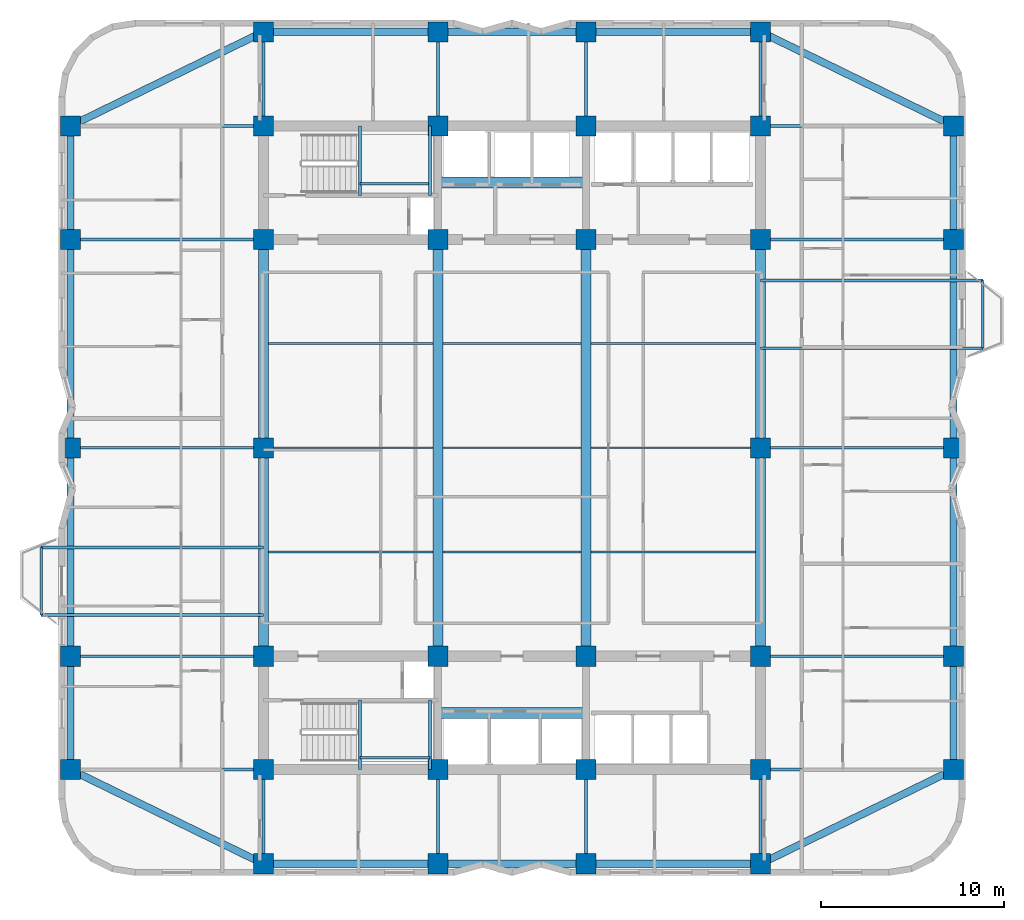
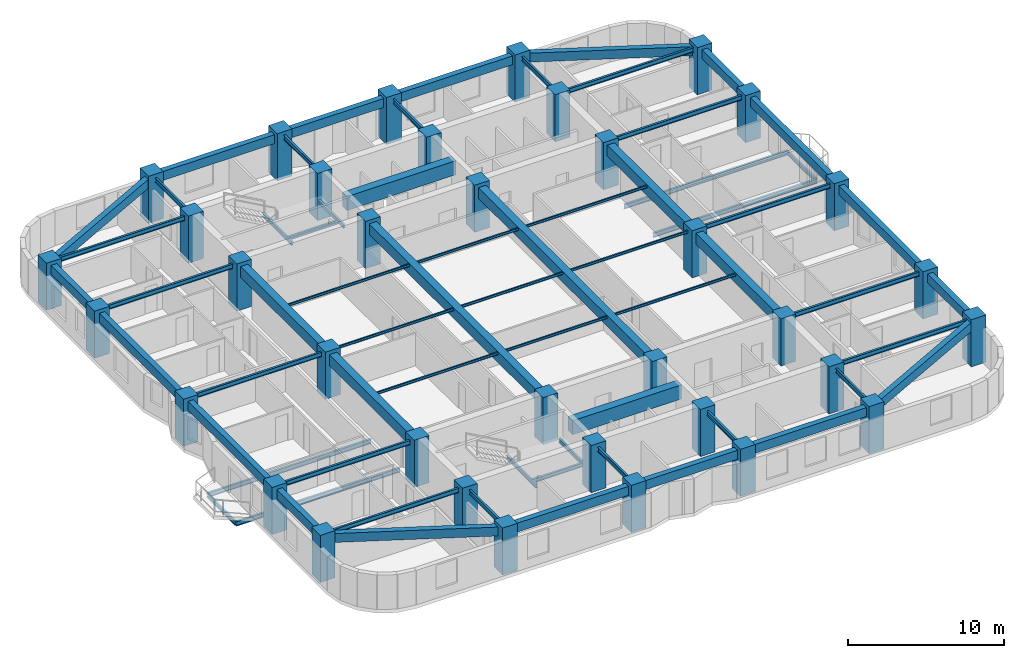
# One storey, part 1 of 9: 65 beams, 36 columns.
"""IFC4 building model written with IfcOpenShell, lengths in metres."""

from ifc_helpers import new_model, si_unit, direction, frame, origin, origin_2d, place, context, subcontext, project, spatial, rectangle, i_section, extrude, material, material_profile, profile_set, type_object, element, save


model = new_model("IFC4")

# Units and contexts
model_context = context("Model", 3, precision=1e-05, world=origin(), true_north=direction((0.0, 1.0)))
body_context = subcontext(model_context, "Body", "Model", "MODEL_VIEW")
ifc_project = project(units=[si_unit("LENGTHUNIT", "METRE"), si_unit("AREAUNIT", "SQUARE_METRE"), si_unit("VOLUMEUNIT", "CUBIC_METRE"), si_unit("PLANEANGLEUNIT", "RADIAN"), si_unit("MASSUNIT", "GRAM", prefix="KILO")], contexts=[model_context])

# Site, building, storey
site_placement = place(None, origin())
site = spatial("IfcSite", under=ifc_project, at=site_placement, CompositionType="ELEMENT")
building_placement = place(site_placement, origin())
building = spatial("IfcBuilding", under=site, at=building_placement, Name="Svetorya Sky Lyceum", CompositionType="ELEMENT")
storey_placement = place(building_placement, frame((0.0, 0.0, 88.300048828125)))
storey = spatial("IfcBuildingStorey", under=building, at=storey_placement, Name="L21", CompositionType="ELEMENT", Elevation=88.300048828125)

# Columns
ifc_material_1 = material(Name="Concrete C50/60", Category="concrete")
ifc_material_profile_1 = material_profile(ifc_material_1, rectangle(XDim=1.10009765625, YDim=1.10009765625, at=origin_2d()), Name="RC COL 1100x1100")
ifc_profile_set_1 = profile_set([ifc_material_profile_1], Name="Concrete C50/60")
column_type = type_object("IfcColumnType", Name="COL-RC-1100", PredefinedType="COLUMN", material=ifc_profile_set_1)
for number, where, z_axis, x_axis, name in (
    (1, (25.60009765625, 10.60009765625, 0.0), (0.0, 0.0, 1.0), (1.0, 0.0, 0.0), "L21 Core Column CS-11"),
    (2, (25.60009765625, 16.800048828125, 0.0), (0.0, 0.0, 1.0), (1.0, 0.0, 0.0), "L21 Core Column CS-12"),
    (3, (35.14990234375, 10.60009765625, 0.0), (0.0, 0.0, 1.0), (1.0, 0.0, 0.0), "L21 Core Column CS-21"),
    (4, (35.14990234375, 16.800048828125, 0.0), (0.0, 0.0, 1.0), (1.0, 0.0, 0.0), "L21 Core Column CS-22"),
    (5, (43.25, 10.60009765625, 0.0), (0.0, 0.0, 1.0), (1.0, 0.0, 0.0), "L21 Core Column CS-31"),
    (6, (43.25, 16.800048828125, 0.0), (0.0, 0.0, 1.0), (1.0, 0.0, 0.0), "L21 Core Column CS-32"),
    (7, (52.800048828125, 10.60009765625, 0.0), (0.0, 0.0, 1.0), (1.0, 0.0, 0.0), "L21 Core Column CS-41"),
    (8, (52.800048828125, 16.800048828125, 0.0), (0.0, 0.0, 1.0), (1.0, 0.0, 0.0), "L21 Core Column CS-42"),
    (9, (25.60009765625, 39.60009765625, 0.0), (0.0, 0.0, 1.0), (1.0, 0.0, 0.0), "L21 Core Column CN-11"),
    (10, (25.60009765625, 45.800048828125, 0.0), (0.0, 0.0, 1.0), (1.0, 0.0, 0.0), "L21 Core Column CN-12"),
    (11, (35.14990234375, 39.60009765625, 0.0), (0.0, 0.0, 1.0), (1.0, 0.0, 0.0), "L21 Core Column CN-21"),
    (12, (35.14990234375, 45.800048828125, 0.0), (0.0, 0.0, 1.0), (1.0, 0.0, 0.0), "L21 Core Column CN-22"),
    (13, (43.25, 39.60009765625, 0.0), (0.0, 0.0, 1.0), (1.0, 0.0, 0.0), "L21 Core Column CN-31"),
    (14, (43.25, 45.800048828125, 0.0), (0.0, 0.0, 1.0), (1.0, 0.0, 0.0), "L21 Core Column CN-32"),
    (15, (52.800048828125, 39.60009765625, 0.0), (0.0, 0.0, 1.0), (1.0, 0.0, 0.0), "L21 Core Column CN-41"),
    (16, (52.800048828125, 45.800048828125, 0.0), (0.0, 0.0, 1.0), (1.0, 0.0, 0.0), "L21 Core Column CN-42"),
    (17, (25.60009765625, 28.199951171875, 0.0), (0.0, 0.0, 1.0), (1.0, 0.0, 0.0), "L21 Core Column CM-W"),
    (18, (52.800048828125, 28.199951171875, 0.0), (0.0, 0.0, 1.0), (1.0, 0.0, 0.0), "L21 Core Column CM-E"),
    (19, (25.60009765625, 5.449951171875, 0.0), (0.0, 0.0, 1.0), (1.0, 0.0, 0.0), "L21 Perimeter Column S1"),
    (20, (25.60009765625, 50.949951171875, 0.0), (0.0, 0.0, 1.0), (1.0, 0.0, 0.0), "L21 Perimeter Column N1"),
    (21, (35.14990234375, 5.449951171875, 0.0), (0.0, 0.0, 1.0), (1.0, 0.0, 0.0), "L21 Perimeter Column S2"),
    (22, (35.14990234375, 50.949951171875, 0.0), (0.0, 0.0, 1.0), (1.0, 0.0, 0.0), "L21 Perimeter Column N2"),
    (23, (43.25, 5.449951171875, 0.0), (0.0, 0.0, 1.0), (1.0, 0.0, 0.0), "L21 Perimeter Column S3"),
    (24, (43.25, 50.949951171875, 0.0), (0.0, 0.0, 1.0), (1.0, 0.0, 0.0), "L21 Perimeter Column N3"),
    (25, (52.800048828125, 5.449951171875, 0.0), (0.0, 0.0, 1.0), (1.0, 0.0, 0.0), "L21 Perimeter Column S4"),
    (26, (52.800048828125, 50.949951171875, 0.0), (0.0, 0.0, 1.0), (1.0, 0.0, 0.0), "L21 Perimeter Column N4"),
    (27, (15.050048828125, 10.60009765625, 0.0), (0.0, 0.0, 1.0), (1.0, 0.0, 0.0), "L21 Perimeter Column W1"),
    (28, (63.35009765625, 10.60009765625, 0.0), (0.0, 0.0, 1.0), (1.0, 0.0, 0.0), "L21 Perimeter Column E1"),
    (29, (15.050048828125, 16.800048828125, 0.0), (0.0, 0.0, 1.0), (1.0, 0.0, 0.0), "L21 Perimeter Column W2"),
    (30, (63.35009765625, 16.800048828125, 0.0), (0.0, 0.0, 1.0), (1.0, 0.0, 0.0), "L21 Perimeter Column E2"),
    (31, (15.050048828125, 28.199951171875, 0.0), (0.0, 0.0, 1.0), (1.0, 0.0, 0.0), "L21 Perimeter Column W3"),
    (32, (63.35009765625, 28.199951171875, 0.0), (0.0, 0.0, 1.0), (1.0, 0.0, 0.0), "L21 Perimeter Column E3"),
    (33, (15.050048828125, 39.60009765625, 0.0), (0.0, 0.0, 1.0), (1.0, 0.0, 0.0), "L21 Perimeter Column W4"),
    (34, (63.35009765625, 39.60009765625, 0.0), (0.0, 0.0, 1.0), (1.0, 0.0, 0.0), "L21 Perimeter Column E4"),
    (35, (15.050048828125, 45.800048828125, 0.0), (0.0, 0.0, 1.0), (1.0, 0.0, 0.0), "L21 Perimeter Column W5"),
    (36, (63.35009765625, 45.800048828125, 0.0), (0.0, 0.0, 1.0), (1.0, 0.0, 0.0), "L21 Perimeter Column E5"),
):
    element("IfcColumn", number, at=place(storey_placement, frame(where, z_axis=z_axis, x_axis=x_axis)), inside=storey, type_object=column_type, Name=name, PredefinedType="COLUMN", context=body_context, shape_type="SweptSolid", body=[
        extrude(rectangle(XDim=1.10009765625, YDim=1.10009765625, at=origin_2d()), origin(), (0.0, 0.0, 1.0), 3.699951171875),
    ])

# Beams
ifc_material_2 = material(Name="Concrete C60/75", Category="concrete")
ifc_material_profile_2 = material_profile(ifc_material_2, rectangle(XDim=0.60009765625, YDim=1.10009765625, at=origin_2d()), Name="RC COUPLING 600x1100")
ifc_profile_set_2 = profile_set([ifc_material_profile_2], Name="Concrete C60/75")
beam_type_1 = type_object("IfcBeamType", Name="BM-CPL-1100", PredefinedType="LINTEL", material=ifc_profile_set_2)
for number, where, z_axis, x_axis, name in (
    (37, (35.14990234375, 13.699951171875, 2.869873046875), (1.0, 0.0, 0.0), (0.0, 1.0, 0.0), "L21 SC Core Coupling Beam"),
    (38, (35.14990234375, 42.699951171875, 2.869873046875), (1.0, 0.0, 0.0), (0.0, 1.0, 0.0), "L21 NC Core Coupling Beam"),
):
    element("IfcBeam", number, at=place(storey_placement, frame(where, z_axis=z_axis, x_axis=x_axis)), inside=storey, type_object=beam_type_1, Name=name, PredefinedType="LINTEL", context=body_context, shape_type="SweptSolid", body=[
        extrude(rectangle(XDim=0.60009765625, YDim=1.10009765625, at=origin_2d()), origin(), (0.0, 0.0, 1.0), 8.10009765625),
    ])
ifc_material_profile_3 = material_profile(ifc_material_1, rectangle(XDim=0.550048828125, YDim=0.85009765625, at=origin_2d()), Name="RC BEAM 550x850")
ifc_profile_set_3 = profile_set([ifc_material_profile_3], Name="Concrete C50/60")
beam_type_2 = type_object("IfcBeamType", Name="BM-RC-850", PredefinedType="BEAM", material=ifc_profile_set_3)
beam_1_placement = place(storey_placement, frame((25.60009765625, 16.800048828125, 2.994873046875), z_axis=(0.0, 1.0, 0.0), x_axis=(-1.0, 0.0, 0.0)))
element("IfcBeam", 39, at=beam_1_placement, inside=storey, type_object=beam_type_2, Name="L21 Central Bay Primary Girder CG-1A", PredefinedType="BEAM", context=body_context, shape_type="SweptSolid", body=[
    extrude(rectangle(XDim=0.550048828125, YDim=0.85009765625, at=origin_2d()), origin(), (0.0, 0.0, 1.0), 11.39990234375),
])
beam_2_placement = place(storey_placement, frame((25.60009765625, 28.199951171875, 2.994873046875), z_axis=(0.0, 1.0, 0.0), x_axis=(-1.0, 0.0, 0.0)))
element("IfcBeam", 40, at=beam_2_placement, inside=storey, type_object=beam_type_2, Name="L21 Central Bay Primary Girder CG-1B", PredefinedType="BEAM", context=body_context, shape_type="SweptSolid", body=[
    extrude(rectangle(XDim=0.550048828125, YDim=0.85009765625, at=origin_2d()), origin(), (0.0, 0.0, 1.0), 11.400146484375),
])
for number, where, z_axis, x_axis, name in (
    (41, (35.14990234375, 16.800048828125, 2.994873046875), (0.0, 1.0, 0.0), (-1.0, 0.0, 0.0), "L21 Central Bay Primary Girder CG-2"),
    (42, (43.25, 16.800048828125, 2.994873046875), (0.0, 1.0, 0.0), (-1.0, 0.0, 0.0), "L21 Central Bay Primary Girder CG-3"),
):
    element("IfcBeam", number, at=place(storey_placement, frame(where, z_axis=z_axis, x_axis=x_axis)), inside=storey, type_object=beam_type_2, Name=name, PredefinedType="BEAM", context=body_context, shape_type="SweptSolid", body=[
        extrude(rectangle(XDim=0.550048828125, YDim=0.85009765625, at=origin_2d()), origin(), (0.0, 0.0, 1.0), 22.800048828125),
    ])
beam_3_placement = place(storey_placement, frame((52.800048828125, 16.800048828125, 2.994873046875), z_axis=(0.0, 1.0, 0.0), x_axis=(-1.0, 0.0, 0.0)))
element("IfcBeam", 43, at=beam_3_placement, inside=storey, type_object=beam_type_2, Name="L21 Central Bay Primary Girder CG-4A", PredefinedType="BEAM", context=body_context, shape_type="SweptSolid", body=[
    extrude(rectangle(XDim=0.550048828125, YDim=0.85009765625, at=origin_2d()), origin(), (0.0, 0.0, 1.0), 11.39990234375),
])
beam_4_placement = place(storey_placement, frame((52.800048828125, 28.199951171875, 2.994873046875), z_axis=(0.0, 1.0, 0.0), x_axis=(-1.0, 0.0, 0.0)))
element("IfcBeam", 44, at=beam_4_placement, inside=storey, type_object=beam_type_2, Name="L21 Central Bay Primary Girder CG-4B", PredefinedType="BEAM", context=body_context, shape_type="SweptSolid", body=[
    extrude(rectangle(XDim=0.550048828125, YDim=0.85009765625, at=origin_2d()), origin(), (0.0, 0.0, 1.0), 11.400146484375),
])
ifc_material_profile_4 = material_profile(ifc_material_1, rectangle(XDim=0.39990234375, YDim=0.699951171875, at=origin_2d()), Name="RC SPANDREL 400x700")
ifc_profile_set_4 = profile_set([ifc_material_profile_4], Name="Concrete C50/60")
beam_type_3 = type_object("IfcBeamType", Name="BM-SPN-700", PredefinedType="SPANDREL", material=ifc_profile_set_4)
beam_5_placement = place(storey_placement, frame((25.60009765625, 5.449951171875, 3.070068359375), z_axis=(1.0, 0.0, 0.0), x_axis=(0.0, 1.0, 0.0)))
element("IfcBeam", 45, at=beam_5_placement, inside=storey, type_object=beam_type_3, Name="L21 South Spandrel 1", PredefinedType="SPANDREL", context=body_context, shape_type="SweptSolid", body=[
    extrude(rectangle(XDim=0.39990234375, YDim=0.699951171875, at=origin_2d()), origin(), (0.0, 0.0, 1.0), 9.5498046875),
])
beam_6_placement = place(storey_placement, frame((35.14990234375, 5.449951171875, 3.070068359375), z_axis=(1.0, 0.0, 0.0), x_axis=(0.0, 1.0, 0.0)))
element("IfcBeam", 46, at=beam_6_placement, inside=storey, type_object=beam_type_3, Name="L21 South Spandrel 2", PredefinedType="SPANDREL", context=body_context, shape_type="SweptSolid", body=[
    extrude(rectangle(XDim=0.39990234375, YDim=0.699951171875, at=origin_2d()), origin(), (0.0, 0.0, 1.0), 8.10009765625),
])
beam_7_placement = place(storey_placement, frame((43.25, 5.449951171875, 3.070068359375), z_axis=(1.0, 0.0, 0.0), x_axis=(0.0, 1.0, 0.0)))
element("IfcBeam", 47, at=beam_7_placement, inside=storey, type_object=beam_type_3, Name="L21 South Spandrel 3", PredefinedType="SPANDREL", context=body_context, shape_type="SweptSolid", body=[
    extrude(rectangle(XDim=0.39990234375, YDim=0.699951171875, at=origin_2d()), origin(), (0.0, 0.0, 1.0), 9.550048828125),
])
beam_8_placement = place(storey_placement, frame((25.60009765625, 50.949951171875, 3.070068359375), z_axis=(1.0, 0.0, 0.0), x_axis=(0.0, 1.0, 0.0)))
element("IfcBeam", 48, at=beam_8_placement, inside=storey, type_object=beam_type_3, Name="L21 North Spandrel 1", PredefinedType="SPANDREL", context=body_context, shape_type="SweptSolid", body=[
    extrude(rectangle(XDim=0.39990234375, YDim=0.699951171875, at=origin_2d()), origin(), (0.0, 0.0, 1.0), 9.5498046875),
])
beam_9_placement = place(storey_placement, frame((35.14990234375, 50.949951171875, 3.070068359375), z_axis=(1.0, 0.0, 0.0), x_axis=(0.0, 1.0, 0.0)))
element("IfcBeam", 49, at=beam_9_placement, inside=storey, type_object=beam_type_3, Name="L21 North Spandrel 2", PredefinedType="SPANDREL", context=body_context, shape_type="SweptSolid", body=[
    extrude(rectangle(XDim=0.39990234375, YDim=0.699951171875, at=origin_2d()), origin(), (0.0, 0.0, 1.0), 8.10009765625),
])
beam_10_placement = place(storey_placement, frame((43.25, 50.949951171875, 3.070068359375), z_axis=(1.0, 0.0, 0.0), x_axis=(0.0, 1.0, 0.0)))
element("IfcBeam", 50, at=beam_10_placement, inside=storey, type_object=beam_type_3, Name="L21 North Spandrel 3", PredefinedType="SPANDREL", context=body_context, shape_type="SweptSolid", body=[
    extrude(rectangle(XDim=0.39990234375, YDim=0.699951171875, at=origin_2d()), origin(), (0.0, 0.0, 1.0), 9.550048828125),
])
for number, where, z_axis, x_axis, name in (
    (51, (25.60009765625, 5.449951171875, 3.070068359375), (-0.898641495694, 0.438683783854, 0.0), (-0.438683783854, -0.898641495694, 0.0), "L21 Corner Spandrel 1"),
    (52, (52.800048828125, 5.449951171875, 3.070068359375), (0.898641495694, 0.438683783854, 0.0), (-0.438683783854, 0.898641495694, 0.0), "L21 Corner Spandrel 2"),
    (53, (63.35009765625, 45.800048828125, 3.070068359375), (-0.898649693653, 0.438666989978, 0.0), (-0.438666989978, -0.898649693653, 0.0), "L21 Corner Spandrel 3"),
    (54, (15.050048828125, 45.800048828125, 3.070068359375), (0.898649693653, 0.438666989978, 0.0), (-0.438666989978, 0.898649693653, 0.0), "L21 Corner Spandrel 4"),
):
    element("IfcBeam", number, at=place(storey_placement, frame(where, z_axis=z_axis, x_axis=x_axis)), inside=storey, type_object=beam_type_3, Name=name, PredefinedType="SPANDREL", context=body_context, shape_type="SweptSolid", body=[
        extrude(rectangle(XDim=0.39990234375, YDim=0.699951171875, at=origin_2d()), origin(), (0.0, 0.0, 1.0), 11.739990234375),
    ])
beam_11_placement = place(storey_placement, frame((15.050048828125, 10.60009765625, 3.070068359375), z_axis=(0.0, 1.0, 0.0), x_axis=(-1.0, 0.0, 0.0)))
element("IfcBeam", 55, at=beam_11_placement, inside=storey, type_object=beam_type_3, Name="L21 West Spandrel 1", PredefinedType="SPANDREL", context=body_context, shape_type="SweptSolid", body=[
    extrude(rectangle(XDim=0.39990234375, YDim=0.699951171875, at=origin_2d()), origin(), (0.0, 0.0, 1.0), 6.199951171875),
])
beam_12_placement = place(storey_placement, frame((15.050048828125, 16.800048828125, 3.070068359375), z_axis=(0.0, 1.0, 0.0), x_axis=(-1.0, 0.0, 0.0)))
element("IfcBeam", 56, at=beam_12_placement, inside=storey, type_object=beam_type_3, Name="L21 West Spandrel 2", PredefinedType="SPANDREL", context=body_context, shape_type="SweptSolid", body=[
    extrude(rectangle(XDim=0.39990234375, YDim=0.699951171875, at=origin_2d()), origin(), (0.0, 0.0, 1.0), 11.39990234375),
])
beam_13_placement = place(storey_placement, frame((15.050048828125, 28.199951171875, 3.070068359375), z_axis=(0.0, 1.0, 0.0), x_axis=(-1.0, 0.0, 0.0)))
element("IfcBeam", 57, at=beam_13_placement, inside=storey, type_object=beam_type_3, Name="L21 West Spandrel 3", PredefinedType="SPANDREL", context=body_context, shape_type="SweptSolid", body=[
    extrude(rectangle(XDim=0.39990234375, YDim=0.699951171875, at=origin_2d()), origin(), (0.0, 0.0, 1.0), 11.400146484375),
])
for number, where, z_axis, x_axis, name in (
    (58, (15.050048828125, 39.60009765625, 3.070068359375), (0.0, 1.0, 0.0), (-1.0, 0.0, 0.0), "L21 West Spandrel 4"),
    (59, (63.35009765625, 10.60009765625, 3.070068359375), (0.0, 1.0, 0.0), (-1.0, 0.0, 0.0), "L21 East Spandrel 1"),
):
    element("IfcBeam", number, at=place(storey_placement, frame(where, z_axis=z_axis, x_axis=x_axis)), inside=storey, type_object=beam_type_3, Name=name, PredefinedType="SPANDREL", context=body_context, shape_type="SweptSolid", body=[
        extrude(rectangle(XDim=0.39990234375, YDim=0.699951171875, at=origin_2d()), origin(), (0.0, 0.0, 1.0), 6.199951171875),
    ])
beam_14_placement = place(storey_placement, frame((63.35009765625, 16.800048828125, 3.070068359375), z_axis=(0.0, 1.0, 0.0), x_axis=(-1.0, 0.0, 0.0)))
element("IfcBeam", 60, at=beam_14_placement, inside=storey, type_object=beam_type_3, Name="L21 East Spandrel 2", PredefinedType="SPANDREL", context=body_context, shape_type="SweptSolid", body=[
    extrude(rectangle(XDim=0.39990234375, YDim=0.699951171875, at=origin_2d()), origin(), (0.0, 0.0, 1.0), 11.39990234375),
])
beam_15_placement = place(storey_placement, frame((63.35009765625, 28.199951171875, 3.070068359375), z_axis=(0.0, 1.0, 0.0), x_axis=(-1.0, 0.0, 0.0)))
element("IfcBeam", 61, at=beam_15_placement, inside=storey, type_object=beam_type_3, Name="L21 East Spandrel 3", PredefinedType="SPANDREL", context=body_context, shape_type="SweptSolid", body=[
    extrude(rectangle(XDim=0.39990234375, YDim=0.699951171875, at=origin_2d()), origin(), (0.0, 0.0, 1.0), 11.400146484375),
])
beam_16_placement = place(storey_placement, frame((63.35009765625, 39.60009765625, 3.070068359375), z_axis=(0.0, 1.0, 0.0), x_axis=(-1.0, 0.0, 0.0)))
element("IfcBeam", 62, at=beam_16_placement, inside=storey, type_object=beam_type_3, Name="L21 East Spandrel 4", PredefinedType="SPANDREL", context=body_context, shape_type="SweptSolid", body=[
    extrude(rectangle(XDim=0.39990234375, YDim=0.699951171875, at=origin_2d()), origin(), (0.0, 0.0, 1.0), 6.199951171875),
])
ifc_material_3 = material(Name="Steel S355", Category="steel")
ifc_material_profile_5 = material_profile(ifc_material_3, i_section(OverallWidth=0.10009765625, OverallDepth=0.199951171875, WebThickness=0.005615234375, FlangeThickness=0.008544921875, at=origin_2d()), Name="GOST 20B1")
ifc_profile_set_5 = profile_set([ifc_material_profile_5], Name="Steel S355")
beam_type_4 = type_object("IfcBeamType", Name="BM-STL-20B1", PredefinedType="JOIST", material=ifc_profile_set_5)
beam_17_placement = place(storey_placement, frame((25.875, 22.5, 3.320068359375), z_axis=(1.0, 0.0, 0.0), x_axis=(0.0, 1.0, 0.0)))
element("IfcBeam", 63, at=beam_17_placement, inside=storey, type_object=beam_type_4, Name="L21 Central Floor Joist CJ-1.1", PredefinedType="JOIST", context=body_context, shape_type="SweptSolid", body=[
    extrude(i_section(OverallWidth=0.10009765625, OverallDepth=0.199951171875, WebThickness=0.005615234375, FlangeThickness=0.008544921875, at=origin_2d()), origin(), (0.0, 0.0, 1.0), 9.0),
])
beam_18_placement = place(storey_placement, frame((35.425048828125, 22.5, 3.320068359375), z_axis=(1.0, 0.0, 0.0), x_axis=(0.0, 1.0, 0.0)))
element("IfcBeam", 64, at=beam_18_placement, inside=storey, type_object=beam_type_4, Name="L21 Central Floor Joist CJ-1.2", PredefinedType="JOIST", context=body_context, shape_type="SweptSolid", body=[
    extrude(i_section(OverallWidth=0.10009765625, OverallDepth=0.199951171875, WebThickness=0.005615234375, FlangeThickness=0.008544921875, at=origin_2d()), origin(), (0.0, 0.0, 1.0), 7.550048828125),
])
for number, where, z_axis, x_axis, name in (
    (65, (43.52490234375, 22.5, 3.320068359375), (1.0, 0.0, 0.0), (0.0, 1.0, 0.0), "L21 Central Floor Joist CJ-1.3"),
    (66, (25.875, 28.199951171875, 3.320068359375), (1.0, 0.0, 0.0), (0.0, 1.0, 0.0), "L21 Central Floor Joist CJ-2.1"),
):
    element("IfcBeam", number, at=place(storey_placement, frame(where, z_axis=z_axis, x_axis=x_axis)), inside=storey, type_object=beam_type_4, Name=name, PredefinedType="JOIST", context=body_context, shape_type="SweptSolid", body=[
        extrude(i_section(OverallWidth=0.10009765625, OverallDepth=0.199951171875, WebThickness=0.005615234375, FlangeThickness=0.008544921875, at=origin_2d()), origin(), (0.0, 0.0, 1.0), 9.0),
    ])
beam_19_placement = place(storey_placement, frame((35.425048828125, 28.199951171875, 3.320068359375), z_axis=(1.0, 0.0, 0.0), x_axis=(0.0, 1.0, 0.0)))
element("IfcBeam", 67, at=beam_19_placement, inside=storey, type_object=beam_type_4, Name="L21 Central Floor Joist CJ-2.2", PredefinedType="JOIST", context=body_context, shape_type="SweptSolid", body=[
    extrude(i_section(OverallWidth=0.10009765625, OverallDepth=0.199951171875, WebThickness=0.005615234375, FlangeThickness=0.008544921875, at=origin_2d()), origin(), (0.0, 0.0, 1.0), 7.550048828125),
])
for number, where, z_axis, x_axis, name in (
    (68, (43.52490234375, 28.199951171875, 3.320068359375), (1.0, 0.0, 0.0), (0.0, 1.0, 0.0), "L21 Central Floor Joist CJ-2.3"),
    (69, (25.875, 33.89990234375, 3.320068359375), (1.0, 0.0, 0.0), (0.0, 1.0, 0.0), "L21 Central Floor Joist CJ-3.1"),
):
    element("IfcBeam", number, at=place(storey_placement, frame(where, z_axis=z_axis, x_axis=x_axis)), inside=storey, type_object=beam_type_4, Name=name, PredefinedType="JOIST", context=body_context, shape_type="SweptSolid", body=[
        extrude(i_section(OverallWidth=0.10009765625, OverallDepth=0.199951171875, WebThickness=0.005615234375, FlangeThickness=0.008544921875, at=origin_2d()), origin(), (0.0, 0.0, 1.0), 9.0),
    ])
beam_20_placement = place(storey_placement, frame((35.425048828125, 33.89990234375, 3.320068359375), z_axis=(1.0, 0.0, 0.0), x_axis=(0.0, 1.0, 0.0)))
element("IfcBeam", 70, at=beam_20_placement, inside=storey, type_object=beam_type_4, Name="L21 Central Floor Joist CJ-3.2", PredefinedType="JOIST", context=body_context, shape_type="SweptSolid", body=[
    extrude(i_section(OverallWidth=0.10009765625, OverallDepth=0.199951171875, WebThickness=0.005615234375, FlangeThickness=0.008544921875, at=origin_2d()), origin(), (0.0, 0.0, 1.0), 7.550048828125),
])
beam_21_placement = place(storey_placement, frame((43.52490234375, 33.89990234375, 3.320068359375), z_axis=(1.0, 0.0, 0.0), x_axis=(0.0, 1.0, 0.0)))
element("IfcBeam", 71, at=beam_21_placement, inside=storey, type_object=beam_type_4, Name="L21 Central Floor Joist CJ-3.3", PredefinedType="JOIST", context=body_context, shape_type="SweptSolid", body=[
    extrude(i_section(OverallWidth=0.10009765625, OverallDepth=0.199951171875, WebThickness=0.005615234375, FlangeThickness=0.008544921875, at=origin_2d()), origin(), (0.0, 0.0, 1.0), 9.0),
])
ifc_material_profile_6 = material_profile(ifc_material_3, i_section(OverallWidth=0.14990234375, OverallDepth=0.299072265625, WebThickness=0.006591796875, FlangeThickness=0.010498046875, at=origin_2d()), Name="GOST 30B2")
ifc_profile_set_6 = profile_set([ifc_material_profile_6], Name="Steel S355")
beam_type_5 = type_object("IfcBeamType", Name="BM-STL-30B2", PredefinedType="JOIST", material=ifc_profile_set_6)
beam_22_placement = place(storey_placement, frame((13.449951171875, 19.050048828125, -0.45458984375), z_axis=(0.0, 1.0, 0.0), x_axis=(-1.0, 0.0, 0.0)))
element("IfcBeam", 72, at=beam_22_placement, inside=storey, type_object=beam_type_5, Name="L21 Balcony Edge Tie BAL-W1", PredefinedType="JOIST", context=body_context, shape_type="SweptSolid", body=[
    extrude(i_section(OverallWidth=0.14990234375, OverallDepth=0.299072265625, WebThickness=0.006591796875, FlangeThickness=0.010498046875, at=origin_2d()), origin(), (0.0, 0.0, 1.0), 3.699951171875),
])
beam_23_placement = place(storey_placement, frame((64.949951171875, 33.64990234375, -0.45458984375), z_axis=(0.0, 1.0, 0.0), x_axis=(-1.0, 0.0, 0.0)))
element("IfcBeam", 73, at=beam_23_placement, inside=storey, type_object=beam_type_5, Name="L21 Balcony Edge Tie BAL-E1", PredefinedType="JOIST", context=body_context, shape_type="SweptSolid", body=[
    extrude(i_section(OverallWidth=0.14990234375, OverallDepth=0.299072265625, WebThickness=0.006591796875, FlangeThickness=0.010498046875, at=origin_2d()), origin(), (0.0, 0.0, 1.0), 3.7001953125),
])
for number, where, z_axis, x_axis, name in (
    (74, (30.8798828125, 10.60009765625, 1.50048828125), (0.0, 1.0, 0.0), (-1.0, 0.0, 0.0), "L21 Stair ST-S Half-Landing Support Beam 25.1"),
    (75, (34.719970703125, 10.60009765625, 1.50048828125), (0.0, 1.0, 0.0), (-1.0, 0.0, 0.0), "L21 Stair ST-S Half-Landing Support Beam 25.2"),
):
    element("IfcBeam", number, at=place(storey_placement, frame(where, z_axis=z_axis, x_axis=x_axis)), inside=storey, type_object=beam_type_5, Name=name, PredefinedType="JOIST", context=body_context, shape_type="SweptSolid", body=[
        extrude(i_section(OverallWidth=0.14990234375, OverallDepth=0.299072265625, WebThickness=0.006591796875, FlangeThickness=0.010498046875, at=origin_2d()), origin(), (0.0, 0.0, 1.0), 3.7998046875),
    ])
beam_24_placement = place(storey_placement, frame((30.8798828125, 11.25, 1.50048828125), z_axis=(1.0, 0.0, 0.0), x_axis=(0.0, 1.0, 0.0)))
element("IfcBeam", 76, at=beam_24_placement, inside=storey, type_object=beam_type_5, Name="L21 Stair ST-S Half-Landing Cross Tie 25", PredefinedType="JOIST", context=body_context, shape_type="SweptSolid", body=[
    extrude(i_section(OverallWidth=0.14990234375, OverallDepth=0.299072265625, WebThickness=0.006591796875, FlangeThickness=0.010498046875, at=origin_2d()), origin(), (0.0, 0.0, 1.0), 3.840087890625),
])
for number, where, z_axis, x_axis, name in (
    (77, (30.8798828125, 42.0, 1.50048828125), (0.0, 1.0, 0.0), (-1.0, 0.0, 0.0), "L21 Stair ST-N Half-Landing Support Beam 25.1"),
    (78, (34.719970703125, 42.0, 1.50048828125), (0.0, 1.0, 0.0), (-1.0, 0.0, 0.0), "L21 Stair ST-N Half-Landing Support Beam 25.2"),
):
    element("IfcBeam", number, at=place(storey_placement, frame(where, z_axis=z_axis, x_axis=x_axis)), inside=storey, type_object=beam_type_5, Name=name, PredefinedType="JOIST", context=body_context, shape_type="SweptSolid", body=[
        extrude(i_section(OverallWidth=0.14990234375, OverallDepth=0.299072265625, WebThickness=0.006591796875, FlangeThickness=0.010498046875, at=origin_2d()), origin(), (0.0, 0.0, 1.0), 3.800048828125),
    ])
beam_25_placement = place(storey_placement, frame((30.8798828125, 42.64990234375, 1.50048828125), z_axis=(1.0, 0.0, 0.0), x_axis=(0.0, 1.0, 0.0)))
element("IfcBeam", 79, at=beam_25_placement, inside=storey, type_object=beam_type_5, Name="L21 Stair ST-N Half-Landing Cross Tie 25", PredefinedType="JOIST", context=body_context, shape_type="SweptSolid", body=[
    extrude(i_section(OverallWidth=0.14990234375, OverallDepth=0.299072265625, WebThickness=0.006591796875, FlangeThickness=0.010498046875, at=origin_2d()), origin(), (0.0, 0.0, 1.0), 3.840087890625),
])
ifc_material_profile_7 = material_profile(ifc_material_3, i_section(OverallWidth=0.155029296875, OverallDepth=0.34912109375, WebThickness=0.007080078125, FlangeThickness=0.011474609375, at=origin_2d()), Name="GOST 35B2")
ifc_profile_set_7 = profile_set([ifc_material_profile_7], Name="Steel S355")
beam_type_6 = type_object("IfcBeamType", Name="BM-STL-35B2", PredefinedType="JOIST", material=ifc_profile_set_7)
for number, where, z_axis, x_axis, name in (
    (80, (25.60009765625, 19.050048828125, -0.45458984375), (-1.0, 0.0, 0.0), (0.0, -1.0, 0.0), "L21 Balcony Cantilever Beam BAL-W1-1"),
    (81, (25.60009765625, 22.75, -0.45458984375), (-1.0, 0.0, 0.0), (0.0, -1.0, 0.0), "L21 Balcony Cantilever Beam BAL-W1-2"),
):
    element("IfcBeam", number, at=place(storey_placement, frame(where, z_axis=z_axis, x_axis=x_axis)), inside=storey, type_object=beam_type_6, Name=name, PredefinedType="JOIST", context=body_context, shape_type="SweptSolid", body=[
        extrude(i_section(OverallWidth=0.155029296875, OverallDepth=0.34912109375, WebThickness=0.007080078125, FlangeThickness=0.011474609375, at=origin_2d()), origin(), (0.0, 0.0, 1.0), 12.150146484375),
    ])
for number, where, z_axis, x_axis, name in (
    (82, (52.800048828125, 33.64990234375, -0.45458984375), (1.0, 0.0, 0.0), (0.0, 1.0, 0.0), "L21 Balcony Cantilever Beam BAL-E1-1"),
    (83, (52.800048828125, 37.35009765625, -0.45458984375), (1.0, 0.0, 0.0), (0.0, 1.0, 0.0), "L21 Balcony Cantilever Beam BAL-E1-2"),
):
    element("IfcBeam", number, at=place(storey_placement, frame(where, z_axis=z_axis, x_axis=x_axis)), inside=storey, type_object=beam_type_6, Name=name, PredefinedType="JOIST", context=body_context, shape_type="SweptSolid", body=[
        extrude(i_section(OverallWidth=0.155029296875, OverallDepth=0.34912109375, WebThickness=0.007080078125, FlangeThickness=0.011474609375, at=origin_2d()), origin(), (0.0, 0.0, 1.0), 12.14990234375),
    ])
for number, where, z_axis, x_axis, name in (
    (84, (15.050048828125, 10.60009765625, 3.245361328125), (1.0, 0.0, 0.0), (0.0, 1.0, 0.0), "L21 West Wing Floor Joist W1"),
    (85, (52.800048828125, 10.60009765625, 3.245361328125), (1.0, 0.0, 0.0), (0.0, 1.0, 0.0), "L21 East Wing Floor Joist E1"),
    (86, (15.050048828125, 16.800048828125, 3.245361328125), (1.0, 0.0, 0.0), (0.0, 1.0, 0.0), "L21 West Wing Floor Joist W2"),
    (87, (52.800048828125, 16.800048828125, 3.245361328125), (1.0, 0.0, 0.0), (0.0, 1.0, 0.0), "L21 East Wing Floor Joist E2"),
    (88, (15.050048828125, 28.199951171875, 3.245361328125), (1.0, 0.0, 0.0), (0.0, 1.0, 0.0), "L21 West Wing Floor Joist W3"),
    (89, (52.800048828125, 28.199951171875, 3.245361328125), (1.0, 0.0, 0.0), (0.0, 1.0, 0.0), "L21 East Wing Floor Joist E3"),
    (90, (15.050048828125, 39.60009765625, 3.245361328125), (1.0, 0.0, 0.0), (0.0, 1.0, 0.0), "L21 West Wing Floor Joist W4"),
    (91, (52.800048828125, 39.60009765625, 3.245361328125), (1.0, 0.0, 0.0), (0.0, 1.0, 0.0), "L21 East Wing Floor Joist E4"),
    (92, (15.050048828125, 45.800048828125, 3.245361328125), (1.0, 0.0, 0.0), (0.0, 1.0, 0.0), "L21 West Wing Floor Joist W5"),
    (93, (52.800048828125, 45.800048828125, 3.245361328125), (1.0, 0.0, 0.0), (0.0, 1.0, 0.0), "L21 East Wing Floor Joist E5"),
):
    element("IfcBeam", number, at=place(storey_placement, frame(where, z_axis=z_axis, x_axis=x_axis)), inside=storey, type_object=beam_type_6, Name=name, PredefinedType="JOIST", context=body_context, shape_type="SweptSolid", body=[
        extrude(i_section(OverallWidth=0.155029296875, OverallDepth=0.34912109375, WebThickness=0.007080078125, FlangeThickness=0.011474609375, at=origin_2d()), origin(), (0.0, 0.0, 1.0), 10.550048828125),
    ])
beam_26_placement = place(storey_placement, frame((25.60009765625, 5.449951171875, 3.245361328125), z_axis=(0.0, 1.0, 0.0), x_axis=(-1.0, 0.0, 0.0)))
element("IfcBeam", 94, at=beam_26_placement, inside=storey, type_object=beam_type_6, Name="L21 South Bay Floor Girder S1", PredefinedType="JOIST", context=body_context, shape_type="SweptSolid", body=[
    extrude(i_section(OverallWidth=0.155029296875, OverallDepth=0.34912109375, WebThickness=0.007080078125, FlangeThickness=0.011474609375, at=origin_2d()), origin(), (0.0, 0.0, 1.0), 5.150146484375),
])
beam_27_placement = place(storey_placement, frame((25.60009765625, 45.800048828125, 3.245361328125), z_axis=(0.0, 1.0, 0.0), x_axis=(-1.0, 0.0, 0.0)))
element("IfcBeam", 95, at=beam_27_placement, inside=storey, type_object=beam_type_6, Name="L21 North Bay Floor Girder N1", PredefinedType="JOIST", context=body_context, shape_type="SweptSolid", body=[
    extrude(i_section(OverallWidth=0.155029296875, OverallDepth=0.34912109375, WebThickness=0.007080078125, FlangeThickness=0.011474609375, at=origin_2d()), origin(), (0.0, 0.0, 1.0), 5.14990234375),
])
beam_28_placement = place(storey_placement, frame((35.14990234375, 5.449951171875, 3.245361328125), z_axis=(0.0, 1.0, 0.0), x_axis=(-1.0, 0.0, 0.0)))
element("IfcBeam", 96, at=beam_28_placement, inside=storey, type_object=beam_type_6, Name="L21 South Bay Floor Girder S2", PredefinedType="JOIST", context=body_context, shape_type="SweptSolid", body=[
    extrude(i_section(OverallWidth=0.155029296875, OverallDepth=0.34912109375, WebThickness=0.007080078125, FlangeThickness=0.011474609375, at=origin_2d()), origin(), (0.0, 0.0, 1.0), 5.150146484375),
])
beam_29_placement = place(storey_placement, frame((35.14990234375, 45.800048828125, 3.245361328125), z_axis=(0.0, 1.0, 0.0), x_axis=(-1.0, 0.0, 0.0)))
element("IfcBeam", 97, at=beam_29_placement, inside=storey, type_object=beam_type_6, Name="L21 North Bay Floor Girder N2", PredefinedType="JOIST", context=body_context, shape_type="SweptSolid", body=[
    extrude(i_section(OverallWidth=0.155029296875, OverallDepth=0.34912109375, WebThickness=0.007080078125, FlangeThickness=0.011474609375, at=origin_2d()), origin(), (0.0, 0.0, 1.0), 5.14990234375),
])
beam_30_placement = place(storey_placement, frame((43.25, 5.449951171875, 3.245361328125), z_axis=(0.0, 1.0, 0.0), x_axis=(-1.0, 0.0, 0.0)))
element("IfcBeam", 98, at=beam_30_placement, inside=storey, type_object=beam_type_6, Name="L21 South Bay Floor Girder S3", PredefinedType="JOIST", context=body_context, shape_type="SweptSolid", body=[
    extrude(i_section(OverallWidth=0.155029296875, OverallDepth=0.34912109375, WebThickness=0.007080078125, FlangeThickness=0.011474609375, at=origin_2d()), origin(), (0.0, 0.0, 1.0), 5.150146484375),
])
beam_31_placement = place(storey_placement, frame((43.25, 45.800048828125, 3.245361328125), z_axis=(0.0, 1.0, 0.0), x_axis=(-1.0, 0.0, 0.0)))
element("IfcBeam", 99, at=beam_31_placement, inside=storey, type_object=beam_type_6, Name="L21 North Bay Floor Girder N3", PredefinedType="JOIST", context=body_context, shape_type="SweptSolid", body=[
    extrude(i_section(OverallWidth=0.155029296875, OverallDepth=0.34912109375, WebThickness=0.007080078125, FlangeThickness=0.011474609375, at=origin_2d()), origin(), (0.0, 0.0, 1.0), 5.14990234375),
])
beam_32_placement = place(storey_placement, frame((52.800048828125, 5.449951171875, 3.245361328125), z_axis=(0.0, 1.0, 0.0), x_axis=(-1.0, 0.0, 0.0)))
element("IfcBeam", 100, at=beam_32_placement, inside=storey, type_object=beam_type_6, Name="L21 South Bay Floor Girder S4", PredefinedType="JOIST", context=body_context, shape_type="SweptSolid", body=[
    extrude(i_section(OverallWidth=0.155029296875, OverallDepth=0.34912109375, WebThickness=0.007080078125, FlangeThickness=0.011474609375, at=origin_2d()), origin(), (0.0, 0.0, 1.0), 5.150146484375),
])
beam_33_placement = place(storey_placement, frame((52.800048828125, 45.800048828125, 3.245361328125), z_axis=(0.0, 1.0, 0.0), x_axis=(-1.0, 0.0, 0.0)))
element("IfcBeam", 101, at=beam_33_placement, inside=storey, type_object=beam_type_6, Name="L21 North Bay Floor Girder N4", PredefinedType="JOIST", context=body_context, shape_type="SweptSolid", body=[
    extrude(i_section(OverallWidth=0.155029296875, OverallDepth=0.34912109375, WebThickness=0.007080078125, FlangeThickness=0.011474609375, at=origin_2d()), origin(), (0.0, 0.0, 1.0), 5.14990234375),
])

save(model, "model.ifc")
